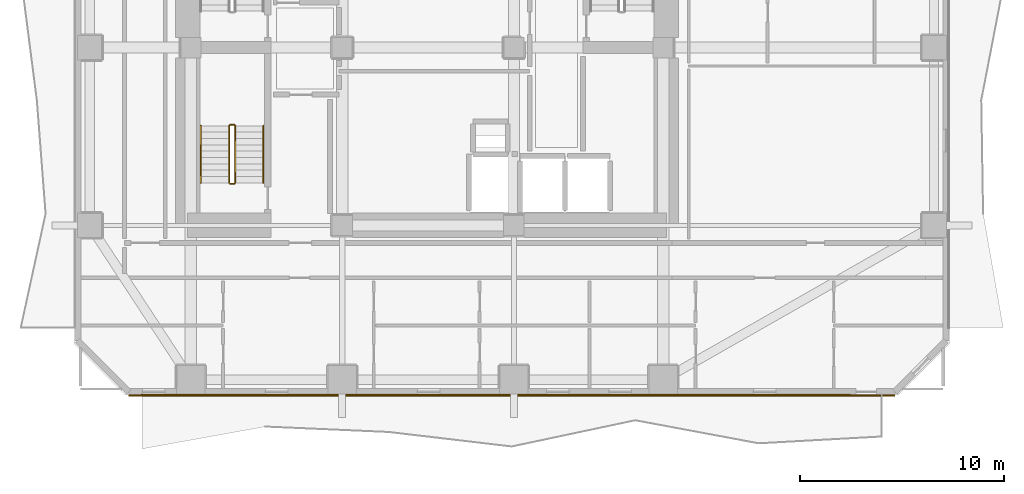
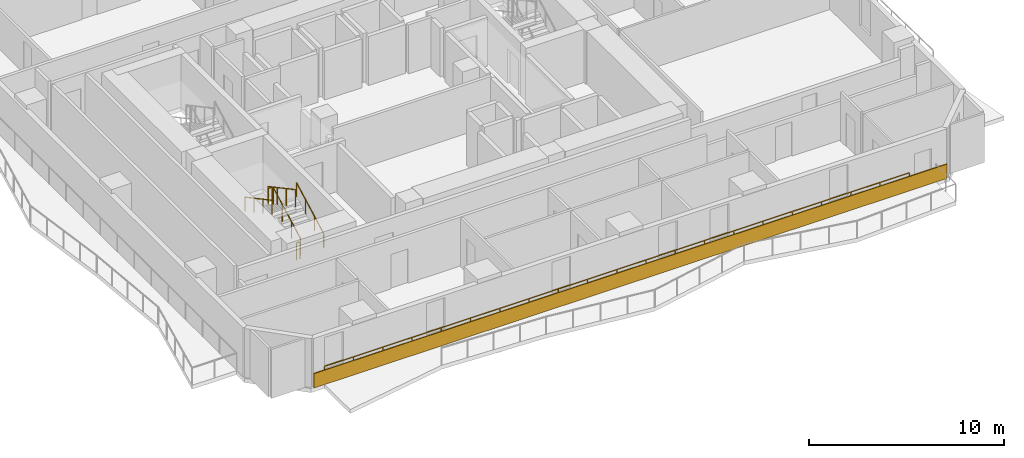
# One storey, part 8 of 11: 7 railings, 1 covering.
"""IFC4 building model written with IfcOpenShell, lengths in metres."""

import ifcopenshell
import ifcopenshell.guid

model = None  # the IFC model being written
_history = None  # IfcOwnerHistory: only IFC2X3 demands one
_inside = {}  # id of a spatial element -> (the spatial element, [elements in it])
_under = {}  # id of a project, library or spatial element -> (it, [spatial elements below it])
_declared = {}  # id of a project -> (the project, [libraries it declares])
_typed = {}  # id of a type object -> (the type object, [elements of that type])
_made_of = {}  # id of a material, layer set ... -> (it, [elements and type objects made of it])


def new_model(schema):
    """Start an empty IFC model of exactly this schema.

    Asked for "IFC4X3", IfcOpenShell would pick the latest addendum, in which some entities
    have other attributes; the version numbers below select the first issue.
    IFC2X3 requires an IfcOwnerHistory on every rooted entity: one is made here for all.
    """
    global model, _history
    if schema == "IFC4X3":
        model = ifcopenshell.file(schema_version=(4, 3, 0, 0))
    else:
        model = ifcopenshell.file(schema=schema)
    _inside.clear()
    _under.clear()
    _declared.clear()
    _typed.clear()
    _made_of.clear()
    _history = None
    if model.schema == "IFC2X3":
        org = make("IfcOrganization", Name="unknown")
        user = make(
            "IfcPersonAndOrganization",
            ThePerson=make("IfcPerson", FamilyName="unknown"),
            TheOrganization=org,
        )
        app = make(
            "IfcApplication",
            ApplicationDeveloper=org,
            Version="unknown",
            ApplicationFullName="unknown",
            ApplicationIdentifier="unknown",
        )
        _history = make(
            "IfcOwnerHistory",
            OwningUser=user,
            OwningApplication=app,
            ChangeAction="ADDED",
            CreationDate=0,
        )
    return model


def make(cls, **values):
    """One entity of the class cls with the attributes given. An attribute that is None is left unset."""
    return model.create_entity(
        cls, **{name: value for name, value in values.items() if value is not None}
    )


def rooted(cls, **values):
    """An entity with a GlobalId (a new one), such as an element, a storey or a relation."""
    return make(cls, GlobalId=ifcopenshell.guid.new(), OwnerHistory=_history, **values)


def si_unit(unit_type, name, prefix=None):
    """IfcSIUnit, for example si_unit("LENGTHUNIT", "METRE", prefix="MILLI")."""
    return make("IfcSIUnit", UnitType=unit_type, Prefix=prefix, Name=name)


def assignment(units):
    """IfcUnitAssignment: the units of a project."""
    return None if units is None else make("IfcUnitAssignment", Units=units)


def point(xyz):
    """IfcCartesianPoint."""
    return None if xyz is None else make("IfcCartesianPoint", Coordinates=xyz)


def direction(xyz):
    """IfcDirection."""
    return None if xyz is None else make("IfcDirection", DirectionRatios=xyz)


def frame(location, z_axis=None, x_axis=None):
    """IfcAxis2Placement3D, a coordinate frame: its origin and axes. An axis left out is left unset."""
    return make(
        "IfcAxis2Placement3D",
        Location=point(location),
        Axis=direction(z_axis),
        RefDirection=direction(x_axis),
    )


def frame_2d(location, x_axis=None):
    """IfcAxis2Placement2D, a coordinate frame in the plane: its origin and x axis."""
    return make(
        "IfcAxis2Placement2D", Location=point(location), RefDirection=direction(x_axis)
    )


def origin():
    """The frame at (0, 0, 0) with its axes left unset."""
    return frame((0.0, 0.0, 0.0))


def origin_2d():
    """The frame at (0, 0) in the plane with its x axis left unset."""
    return frame_2d((0.0, 0.0))


def place(relative_to, where):
    """IfcLocalPlacement: puts the frame where relative to a parent placement (None: the world)."""
    return make(
        "IfcLocalPlacement", PlacementRelTo=relative_to, RelativePlacement=where
    )


def context(
    kind, dimensions, precision=None, world=None, true_north=None, identifier=None
):
    """IfcGeometricRepresentationContext, for example the 3D "Model" context."""
    return make(
        "IfcGeometricRepresentationContext",
        ContextIdentifier=identifier,
        ContextType=kind,
        CoordinateSpaceDimension=dimensions,
        Precision=precision,
        WorldCoordinateSystem=world,
        TrueNorth=true_north,
    )


def subcontext(parent, identifier, kind, view, scale=None):
    """IfcGeometricRepresentationSubContext, for example "Body" below "Model"."""
    return make(
        "IfcGeometricRepresentationSubContext",
        ContextIdentifier=identifier,
        ContextType=kind,
        ParentContext=parent,
        TargetScale=scale,
        TargetView=view,
    )


def project(units=None, contexts=None):
    """IfcProject with its units and contexts."""
    return rooted(
        "IfcProject",
        Name="project",
        RepresentationContexts=contexts,
        UnitsInContext=assignment(units),
    )


def spatial(cls, under=None, at=None, **own):
    """A site, building, storey or space (cls), placed at a placement, below another one or the project."""
    s = rooted(cls, ObjectPlacement=at, **own)
    if under is not None:
        _under.setdefault(under.id(), (under, []))[1].append(s)
    return s


def profile(cls, at=None, kind="AREA", **sizes):
    """A parametric profile (cls). Its sizes go by their IFC names, for example OverallWidth=200.0."""
    return make(cls, ProfileType=kind, Position=at, **sizes)


def rectangle(**sizes):
    """IfcRectangleProfileDef."""
    return profile("IfcRectangleProfileDef", **sizes)


def extrude(swept, where, along, depth):
    """IfcExtrudedAreaSolid: the profile swept, set in the frame where, extruded along a direction by depth."""
    return make(
        "IfcExtrudedAreaSolid",
        SweptArea=swept,
        Position=where,
        ExtrudedDirection=direction(along),
        Depth=depth,
    )


def shape(context_of_items, identifier, shape_type, items):
    """IfcShapeRepresentation: the items that make up one representation, for example the "Body"."""
    return make(
        "IfcShapeRepresentation",
        ContextOfItems=context_of_items,
        RepresentationIdentifier=identifier,
        RepresentationType=shape_type,
        Items=items,
    )


def material(Name=None, Category=None):
    """IfcMaterial."""
    return make("IfcMaterial", Name=Name, Category=Category)


def layer(
    of_material, thickness, ventilated=None, Name=None, Category=None, Priority=None
):
    """IfcMaterialLayer: one layer of a wall or slab, of a material (None: an air gap)."""
    return make(
        "IfcMaterialLayer",
        Material=of_material,
        LayerThickness=thickness,
        IsVentilated=ventilated,
        Name=Name,
        Category=Category,
        Priority=Priority,
    )


def layer_set(layers, Name=None):
    """IfcMaterialLayerSet."""
    return make("IfcMaterialLayerSet", MaterialLayers=layers, LayerSetName=Name)


def made_of(thing, what):
    """Note that an element or type object is made of a material, layer set ...; save() writes the relation."""
    if what is not None:
        _made_of.setdefault(what.id(), (what, []))[1].append(thing)
    return thing


def type_object(cls, material=None, **own):
    """A type object (cls), such as IfcWallType, which elements share."""
    return made_of(rooted(cls, **own), material)


def element(
    cls,
    number,
    at=None,
    inside=None,
    cuts=None,
    type_object=None,
    material=None,
    context=None,
    identifier="Body",
    shape_type=None,
    held_by="IfcProductDefinitionShape",
    body=None,
    shapes=None,
    **own,
):
    """One element of the class cls, such as IfcWall. Its Tag is "e" and its number.

    at: its placement. inside: the storey or other place that contains it. cuts: it is an
    opening in that element (IfcRelVoidsElement). A single representation is given by context,
    identifier, shape_type and body (its items); several are given by shapes. held_by: the class
    of the entity that holds the representations. save() writes the other relations.
    """
    e = rooted(cls, Tag="e%d" % number, ObjectPlacement=at, **own)
    if body is not None:
        shapes = [shape(context, identifier, shape_type, body)]
    if shapes is not None:
        e.Representation = make(held_by, Representations=shapes)
    if inside is not None:
        _inside.setdefault(inside.id(), (inside, []))[1].append(e)
    if cuts is not None:
        rooted(
            "IfcRelVoidsElement", RelatingBuildingElement=cuts, RelatedOpeningElement=e
        )
    if type_object is not None:
        _typed.setdefault(type_object.id(), (type_object, []))[1].append(e)
    return made_of(e, material)


def aggregate(whole, parts):
    """IfcRelAggregates: a whole, such as a stair, and the parts it consists of."""
    return rooted("IfcRelAggregates", RelatingObject=whole, RelatedObjects=parts)


def save(model, path):
    """Write the relations noted so far, then the file.

    IfcRelAggregates (storeys below a building ...), IfcRelContainedInSpatialStructure (elements
    in a storey), IfcRelDefinesByType, IfcRelAssociatesMaterial and IfcRelDeclares: one each for
    every whole, place, type object, material and project.
    """
    for whole, parts in _under.values():
        aggregate(whole, parts)
    for where, things in _inside.values():
        rooted(
            "IfcRelContainedInSpatialStructure",
            RelatedElements=things,
            RelatingStructure=where,
        )
    for kind, things in _typed.values():
        rooted("IfcRelDefinesByType", RelatedObjects=things, RelatingType=kind)
    for what, things in _made_of.values():
        rooted("IfcRelAssociatesMaterial", RelatedObjects=things, RelatingMaterial=what)
    for by, libraries in _declared.values():
        rooted("IfcRelDeclares", RelatingContext=by, RelatedDefinitions=libraries)
    model.write(path)


model = new_model("IFC4")

# Units and contexts
model_context = context("Model", 3, precision=1e-05, world=origin(), true_north=direction((0.0, 1.0)))
body_context = subcontext(model_context, "Body", "Model", "MODEL_VIEW")
ifc_project = project(units=[si_unit("LENGTHUNIT", "METRE"), si_unit("AREAUNIT", "SQUARE_METRE"), si_unit("VOLUMEUNIT", "CUBIC_METRE"), si_unit("PLANEANGLEUNIT", "RADIAN"), si_unit("MASSUNIT", "GRAM", prefix="KILO")], contexts=[model_context])

# Site, building, storey
site_placement = place(None, origin())
site = spatial("IfcSite", under=ifc_project, at=site_placement, CompositionType="ELEMENT")
building_placement = place(site_placement, origin())
building = spatial("IfcBuilding", under=site, at=building_placement, Name="Solanera Arch Residences", CompositionType="ELEMENT")
storey_placement = place(building_placement, frame((0.0, 0.0, 75.1201171875)))
storey = spatial("IfcBuildingStorey", under=building, at=storey_placement, Name="L21", CompositionType="ELEMENT", Elevation=75.1201171875)

# Railing
ifc_material_1 = material(Name="Steel S355 (ASTM A992 / A572 Grade 50)", Category="steel")
railing_type_1 = type_object("IfcRailingType", Name="Balustrade Railing BL-1100", PredefinedType="BALUSTRADE", material=ifc_material_1)
railing_1_placement = place(storey_placement, frame((45.634033203125, 13.719970703125, 0.0)))
element("IfcRailing", 1, at=railing_1_placement, inside=storey, type_object=railing_type_1, Name="L21 S Balcony Balustrade 2", PredefinedType="BALUSTRADE", context=body_context, shape_type="SweptSolid", body=[
    extrude(rectangle(XDim=0.048095703125, YDim=0.048095703125, at=origin_2d()), frame((0.0, 0.0, 1.09619140625), z_axis=(-1.0, 0.0, 0.0), x_axis=(0.0, -1.0, 0.0)), (0.0, 0.0, 1.0), 34.634033203125),
    extrude(rectangle(XDim=0.0419921875, YDim=0.0419921875, at=origin_2d()), origin(), (0.0, 0.0, 1.0), 1.072021484375),
    extrude(rectangle(XDim=0.0419921875, YDim=0.0419921875, at=origin_2d()), frame((-1.731689453125, 0.0, 0.0)), (0.0, 0.0, 1.0), 1.072021484375),
    extrude(rectangle(XDim=0.0419921875, YDim=0.0419921875, at=origin_2d()), frame((-3.46337890625, 0.0, 0.0)), (0.0, 0.0, 1.0), 1.072021484375),
    extrude(rectangle(XDim=0.0419921875, YDim=0.0419921875, at=origin_2d()), frame((-5.195068359375, 0.0, 0.0)), (0.0, 0.0, 1.0), 1.072021484375),
    extrude(rectangle(XDim=0.0419921875, YDim=0.0419921875, at=origin_2d()), frame((-6.9267578125, 0.0, 0.0)), (0.0, 0.0, 1.0), 1.072021484375),
    extrude(rectangle(XDim=0.0419921875, YDim=0.0419921875, at=origin_2d()), frame((-8.658447265625, 0.0, 0.0)), (0.0, 0.0, 1.0), 1.072021484375),
    extrude(rectangle(XDim=0.0419921875, YDim=0.0419921875, at=origin_2d()), frame((-10.39013671875, 0.0, 0.0)), (0.0, 0.0, 1.0), 1.072021484375),
    extrude(rectangle(XDim=0.0419921875, YDim=0.0419921875, at=origin_2d()), frame((-12.121826171875, 0.0, 0.0)), (0.0, 0.0, 1.0), 1.072021484375),
    extrude(rectangle(XDim=0.0419921875, YDim=0.0419921875, at=origin_2d()), frame((-13.853515625, 0.0, 0.0)), (0.0, 0.0, 1.0), 1.072021484375),
    extrude(rectangle(XDim=0.0419921875, YDim=0.0419921875, at=origin_2d()), frame((-15.585205078125, 0.0, 0.0)), (0.0, 0.0, 1.0), 1.072021484375),
    extrude(rectangle(XDim=0.0419921875, YDim=0.0419921875, at=origin_2d()), frame((-17.31689453125, 0.0, 0.0)), (0.0, 0.0, 1.0), 1.072021484375),
    extrude(rectangle(XDim=0.0419921875, YDim=0.0419921875, at=origin_2d()), frame((-19.048828125, 0.0, 0.0)), (0.0, 0.0, 1.0), 1.072021484375),
    extrude(rectangle(XDim=0.0419921875, YDim=0.0419921875, at=origin_2d()), frame((-20.780517578125, 0.0, 0.0)), (0.0, 0.0, 1.0), 1.072021484375),
    extrude(rectangle(XDim=0.0419921875, YDim=0.0419921875, at=origin_2d()), frame((-22.51220703125, 0.0, 0.0)), (0.0, 0.0, 1.0), 1.072021484375),
    extrude(rectangle(XDim=0.0419921875, YDim=0.0419921875, at=origin_2d()), frame((-24.243896484375, 0.0, 0.0)), (0.0, 0.0, 1.0), 1.072021484375),
    extrude(rectangle(XDim=0.0419921875, YDim=0.0419921875, at=origin_2d()), frame((-25.9755859375, 0.0, 0.0)), (0.0, 0.0, 1.0), 1.072021484375),
    extrude(rectangle(XDim=0.0419921875, YDim=0.0419921875, at=origin_2d()), frame((-27.707275390625, 0.0, 0.0)), (0.0, 0.0, 1.0), 1.072021484375),
    extrude(rectangle(XDim=0.0419921875, YDim=0.0419921875, at=origin_2d()), frame((-29.43896484375, 0.0, 0.0)), (0.0, 0.0, 1.0), 1.072021484375),
    extrude(rectangle(XDim=0.0419921875, YDim=0.0419921875, at=origin_2d()), frame((-31.170654296875, 0.0, 0.0)), (0.0, 0.0, 1.0), 1.072021484375),
    extrude(rectangle(XDim=0.0419921875, YDim=0.0419921875, at=origin_2d()), frame((-32.90234375, 0.0, 0.0)), (0.0, 0.0, 1.0), 1.072021484375),
    extrude(rectangle(XDim=0.0419921875, YDim=0.0419921875, at=origin_2d()), frame((-34.634033203125, 0.0, 0.0)), (0.0, 0.0, 1.0), 1.072021484375),
])

# Covering
ifc_material_2 = material(Name="Philippine Adobe Travertine Cladding", Category="masonry")
ifc_layer = layer(ifc_material_2, 0.06005859375)
ifc_layer_set = layer_set([ifc_layer], Name="Philippine Adobe Travertine Cladding")
covering_type = type_object("IfcCoveringType", Name="Precast Pier Stone Cladding CLD-60", PredefinedType="CLADDING", material=ifc_layer_set)
covering_placement = place(storey_placement, frame((47.8349609375, 13.68505859375, 0.0), z_axis=(0.0, 0.0, 1.0), x_axis=(-1.0, 0.0, 0.0)))
element("IfcCovering", 2, at=covering_placement, inside=storey, type_object=covering_type, Name="L21 S Precast Spandrel Stone Band", PredefinedType="CLADDING", context=body_context, shape_type="SweptSolid", body=[
    extrude(rectangle(XDim=37.469970703125, YDim=0.06005859375, at=frame_2d((18.73486328125, 0.0))), origin(), (0.0, 0.0, 1.0), 0.89990234375),
])

# Railings
ifc_material_3 = material(Name="Steel S355 (ASTM A992 / A572 Grade 50)", Category="steel")
railing_type_2 = type_object("IfcRailingType", Name="Stair Guardrail GR-1100", PredefinedType="GUARDRAIL", material=ifc_material_3)
railing_2_placement = place(storey_placement, frame((15.570068359375, 24.080078125, 0.15087890625)))
element("IfcRailing", 3, at=railing_2_placement, inside=storey, type_object=railing_type_2, Name="L21 ST-T3 stair guard 1", PredefinedType="GUARDRAIL", context=body_context, shape_type="SweptSolid", body=[
    extrude(rectangle(XDim=0.048095703125, YDim=0.048095703125, at=origin_2d()), frame((0.0, 0.0, 1.076171875), z_axis=(0.0, 0.881580869306, 0.472033018838), x_axis=(-1.0, 0.0, 0.0)), (0.0, 0.0, 1.0), 3.164794921875),
    extrude(rectangle(XDim=0.0419921875, YDim=0.0419921875, at=origin_2d()), origin(), (0.0, 0.0, 1.0), 1.052001953125),
    extrude(rectangle(XDim=0.0419921875, YDim=0.0419921875, at=origin_2d()), frame((0.0, 0.929931640625, 0.498046875)), (0.0, 0.0, 1.0), 1.052001953125),
    extrude(rectangle(XDim=0.0419921875, YDim=0.0419921875, at=origin_2d()), frame((0.0, 1.860107421875, 0.995849609375)), (0.0, 0.0, 1.0), 1.052001953125),
    extrude(rectangle(XDim=0.0419921875, YDim=0.0419921875, at=origin_2d()), frame((0.0, 2.7900390625, 1.493896484375)), (0.0, 0.0, 1.0), 1.052001953125),
])
railing_3_placement = place(storey_placement, frame((15.52001953125, 26.919921875, 1.644775390625)))
element("IfcRailing", 4, at=railing_3_placement, inside=storey, type_object=railing_type_2, Name="L21 ST-T3 stair guard 2", PredefinedType="GUARDRAIL", context=body_context, shape_type="SweptSolid", body=[
    extrude(rectangle(XDim=0.048095703125, YDim=0.048095703125, at=origin_2d()), frame((0.0, 0.0, 1.076171875), z_axis=(-1.0, 0.0, 0.0), x_axis=(0.0, -1.0, 0.0)), (0.0, 0.0, 1.0), 0.199951171875),
    extrude(rectangle(XDim=0.0419921875, YDim=0.0419921875, at=origin_2d()), origin(), (0.0, 0.0, 1.0), 1.052001953125),
    extrude(rectangle(XDim=0.0419921875, YDim=0.0419921875, at=origin_2d()), frame((-0.199951171875, 0.0, 0.0)), (0.0, 0.0, 1.0), 1.052001953125),
])
railing_4_placement = place(storey_placement, frame((15.27001953125, 26.8701171875, 1.810791015625)))
element("IfcRailing", 5, at=railing_4_placement, inside=storey, type_object=railing_type_2, Name="L21 ST-T3 stair guard 3", PredefinedType="GUARDRAIL", context=body_context, shape_type="SweptSolid", body=[
    extrude(rectangle(XDim=0.048095703125, YDim=0.048095703125, at=origin_2d()), frame((0.0, 0.0, 1.076171875), z_axis=(0.0, -0.881548766853, 0.472092969298), x_axis=(1.0, 0.0, 0.0)), (0.0, 0.0, 1.0), 3.1650390625),
    extrude(rectangle(XDim=0.0419921875, YDim=0.0419921875, at=origin_2d()), origin(), (0.0, 0.0, 1.0), 1.052001953125),
    extrude(rectangle(XDim=0.0419921875, YDim=0.0419921875, at=origin_2d()), frame((0.0, -0.929931640625, 0.498046875)), (0.0, 0.0, 1.0), 1.052001953125),
    extrude(rectangle(XDim=0.0419921875, YDim=0.0419921875, at=origin_2d()), frame((0.0, -1.860107421875, 0.99609375)), (0.0, 0.0, 1.0), 1.052001953125),
    extrude(rectangle(XDim=0.0419921875, YDim=0.0419921875, at=origin_2d()), frame((0.0, -2.7900390625, 1.494140625)), (0.0, 0.0, 1.0), 1.052001953125),
])
railing_5_placement = place(storey_placement, frame((15.52001953125, 24.030029296875, -0.01513671875)))
element("IfcRailing", 6, at=railing_5_placement, inside=storey, type_object=railing_type_2, Name="L21 ST-T3 stair guard 4", PredefinedType="GUARDRAIL", context=body_context, shape_type="SweptSolid", body=[
    extrude(rectangle(XDim=0.048095703125, YDim=0.048095703125, at=origin_2d()), frame((0.0, 0.0, 1.076171875), z_axis=(-1.0, 0.0, 0.0), x_axis=(0.0, -1.0, 0.0)), (0.0, 0.0, 1.0), 0.199951171875),
    extrude(rectangle(XDim=0.0419921875, YDim=0.0419921875, at=origin_2d()), origin(), (0.0, 0.0, 1.0), 1.052001953125),
    extrude(rectangle(XDim=0.0419921875, YDim=0.0419921875, at=origin_2d()), frame((-0.199951171875, 0.0, 0.0)), (0.0, 0.0, 1.0), 1.052001953125),
])
ifc_material_4 = material(Name="Steel S355 (ASTM A992 / A572 Grade 50)", Category="steel")
railing_type_3 = type_object("IfcRailingType", Name="Stair Wall Handrail HR-920", PredefinedType="HANDRAIL", material=ifc_material_4)
railing_6_placement = place(storey_placement, frame((16.949951171875, 24.080078125, 0.165771484375)))
element("IfcRailing", 7, at=railing_6_placement, inside=storey, type_object=railing_type_3, Name="L21 ST-T3 stair handrail 1", PredefinedType="HANDRAIL", context=body_context, shape_type="SweptSolid", body=[
    extrude(rectangle(XDim=0.048095703125, YDim=0.048095703125, at=origin_2d()), frame((0.0, 0.0, 0.8759765625), z_axis=(0.0, 0.881548766853, 0.472092969298), x_axis=(-1.0, 0.0, 0.0)), (0.0, 0.0, 1.0), 3.1650390625),
    extrude(rectangle(XDim=0.0419921875, YDim=0.0419921875, at=origin_2d()), origin(), (0.0, 0.0, 1.0), 0.851806640625),
    extrude(rectangle(XDim=0.0419921875, YDim=0.0419921875, at=origin_2d()), frame((0.0, 0.929931640625, 0.498046875)), (0.0, 0.0, 1.0), 0.851806640625),
    extrude(rectangle(XDim=0.0419921875, YDim=0.0419921875, at=origin_2d()), frame((0.0, 1.860107421875, 0.99609375)), (0.0, 0.0, 1.0), 0.851806640625),
    extrude(rectangle(XDim=0.0419921875, YDim=0.0419921875, at=origin_2d()), frame((0.0, 2.7900390625, 1.494140625)), (0.0, 0.0, 1.0), 0.851806640625),
])
railing_7_placement = place(storey_placement, frame((13.889892578125, 26.8701171875, 1.825927734375)))
element("IfcRailing", 8, at=railing_7_placement, inside=storey, type_object=railing_type_3, Name="L21 ST-T3 stair handrail 2", PredefinedType="HANDRAIL", context=body_context, shape_type="SweptSolid", body=[
    extrude(rectangle(XDim=0.048095703125, YDim=0.048095703125, at=origin_2d()), frame((0.0, 0.0, 0.8759765625), z_axis=(0.0, -0.881580869306, 0.472033018838), x_axis=(1.0, 0.0, 0.0)), (0.0, 0.0, 1.0), 3.164794921875),
    extrude(rectangle(XDim=0.0419921875, YDim=0.0419921875, at=origin_2d()), origin(), (0.0, 0.0, 1.0), 0.851806640625),
    extrude(rectangle(XDim=0.0419921875, YDim=0.0419921875, at=origin_2d()), frame((0.0, -0.929931640625, 0.498046875)), (0.0, 0.0, 1.0), 0.851806640625),
    extrude(rectangle(XDim=0.0419921875, YDim=0.0419921875, at=origin_2d()), frame((0.0, -1.860107421875, 0.995849609375)), (0.0, 0.0, 1.0), 0.851806640625),
    extrude(rectangle(XDim=0.0419921875, YDim=0.0419921875, at=origin_2d()), frame((0.0, -2.7900390625, 1.493896484375)), (0.0, 0.0, 1.0), 0.851806640625),
])

save(model, "model.ifc")
